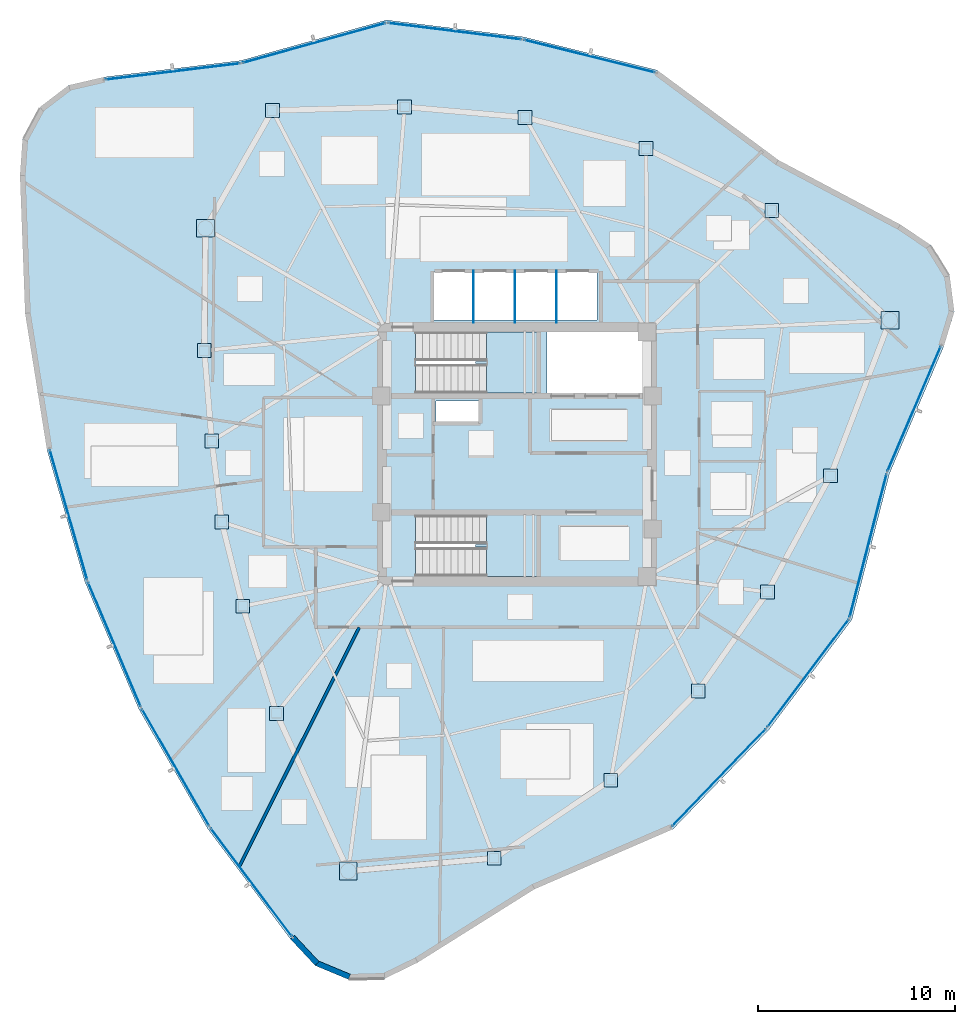
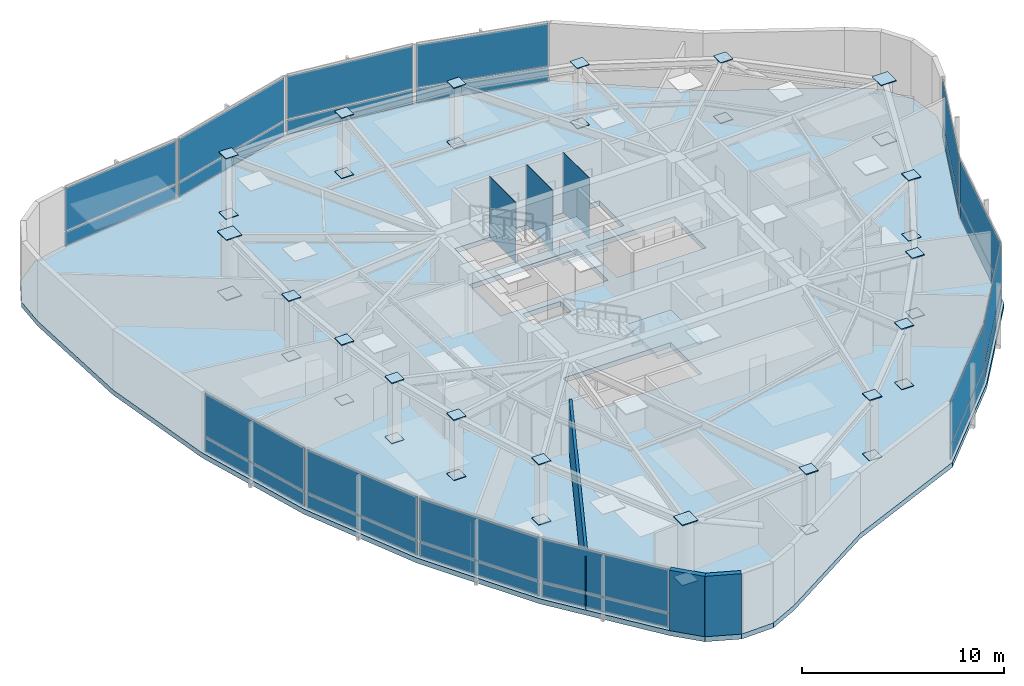
# One storey, part 8 of 14: 63 plates, 3 slabs, 3 walls, 14 elements without a shape of their own.
"""IFC4 building model written with IfcOpenShell, lengths in metres."""

from ifc_helpers import new_model, si_unit, direction, frame, frame_2d, origin, origin_2d, place, context, subcontext, project, spatial, polyline, rectangle, outline, extrude, source, transform, mapped, material, layer, layer_set, type_object, type_shapes, element, aggregate, save


model = new_model("IFC4")

# Units and contexts
model_context = context("Model", 3, precision=1e-05, world=origin(), true_north=direction((0.0, 1.0)))
body_context = subcontext(model_context, "Body", "Model", "MODEL_VIEW")
ifc_project = project(units=[si_unit("LENGTHUNIT", "METRE"), si_unit("AREAUNIT", "SQUARE_METRE"), si_unit("VOLUMEUNIT", "CUBIC_METRE"), si_unit("PLANEANGLEUNIT", "RADIAN"), si_unit("MASSUNIT", "GRAM", prefix="KILO")], contexts=[model_context])

# Site, building, storey
site_placement = place(None, origin())
site = spatial("IfcSite", under=ifc_project, at=site_placement, CompositionType="ELEMENT")
building_placement = place(site_placement, origin())
building = spatial("IfcBuilding", under=site, at=building_placement, Name="Tavelor Broadcast Tower", CompositionType="ELEMENT")
storey_placement = place(building_placement, frame((0.0, 0.0, 249.800048828125)))
storey = spatial("IfcBuildingStorey", under=building, at=storey_placement, Name="L59", CompositionType="ELEMENT", Elevation=249.800048828125)

# Stair, slab
ifc_material_1 = material(Name="Concrete C40/50", Category="concrete")
stair_type = type_object("IfcStairType", Name="Reinforced Concrete Protected Dogleg Stair 1450 mm", PredefinedType="HALF_TURN_STAIR", material=ifc_material_1)
stair_1_placement = place(storey_placement, origin())
stair_1 = element("IfcStair", 1, at=stair_1_placement, inside=storey, type_object=stair_type, Name="L59 Protected Core Exit Stair ST1", PredefinedType="HALF_TURN_STAIR")
ifc_layer_1 = layer(ifc_material_1, 0.199951171875)
ifc_layer_set_1 = layer_set([ifc_layer_1], Name="Concrete C40/50")
slab_type_1 = type_object("IfcSlabType", Name="Reinforced Concrete Stair Half-Landing Slab 200 mm", PredefinedType="LANDING", material=ifc_layer_set_1)
slab_1_placement = place(storey_placement, frame((0.0, 0.0, 1.77490234375)))
slab_1 = element("IfcSlab", 2, at=slab_1_placement, type_object=slab_type_1, Name="ST1 landing 1", PredefinedType="LANDING", context=body_context, shape_type="SweptSolid", body=[
    extrude(outline(polyline([(48.445068359375, 49.590087890625), (48.445068359375, 48.094970703125), (51.0048828125, 48.094970703125), (51.0048828125, 51.205078125), (48.445068359375, 51.205078125), (48.445068359375, 49.7099609375), (47.905029296875, 49.7099609375), (47.905029296875, 49.590087890625), (48.445068359375, 49.590087890625)])), origin(), (0.0, 0.0, 1.0), 0.199951171875),
])
aggregate(stair_1, [slab_1])

stair_2_placement = place(storey_placement, origin())
stair_2 = element("IfcStair", 3, at=stair_2_placement, inside=storey, type_object=stair_type, Name="L59 Protected Core Exit Stair ST2", PredefinedType="HALF_TURN_STAIR")
slab_2_placement = place(storey_placement, frame((0.0, 0.0, 1.77490234375)))
slab_2 = element("IfcSlab", 4, at=slab_2_placement, type_object=slab_type_1, Name="ST2 landing 1", PredefinedType="LANDING", context=body_context, shape_type="SweptSolid", body=[
    extrude(outline(polyline([(48.445068359375, 40.2900390625), (48.445068359375, 38.794921875), (51.0048828125, 38.794921875), (51.0048828125, 41.905029296875), (48.445068359375, 41.905029296875), (48.445068359375, 40.409912109375), (47.905029296875, 40.409912109375), (47.905029296875, 40.2900390625), (48.445068359375, 40.2900390625)])), origin(), (0.0, 0.0, 1.0), 0.199951171875),
])
aggregate(stair_2, [slab_2])

# Slab
ifc_layer_2 = layer(ifc_material_1, 0.300048828125)
ifc_layer_set_2 = layer_set([ifc_layer_2], Name="Concrete C40/50")
slab_type_2 = type_object("IfcSlabType", Name="Tower Composite Floor Slab 300 mm", PredefinedType="FLOOR", material=ifc_layer_set_2)
slab_3_placement = place(storey_placement, frame((0.0, 0.0, -0.300048828125)))
element("IfcSlab", 5, at=slab_3_placement, inside=storey, type_object=slab_type_2, Name="L59 Structural Floor Slab", PredefinedType="FLOOR", context=body_context, shape_type="SweptSolid", body=[
    extrude(outline(polyline([(29.04345703125, 64.1337890625), (27.251708984375, 63.718505859375), (25.789794921875, 62.602783203125), (24.91650390625, 60.984130859375), (24.78662109375, 59.149658203125), (25.0458984375, 52.154296875), (26.14990234375, 45.24169921875), (28.08251953125, 38.513427734375), (30.81494140625, 32.068603515625), (34.30712890625, 26.001708984375), (38.508056640625, 20.40185546875), (39.763427734375, 19.057861328125), (41.460693359375, 18.349609375), (43.299072265625, 18.402587890625), (44.95263671875, 19.20751953125), (50.881103515625, 22.9296875), (57.91259765625, 25.978271484375), (62.773193359375, 31.01611328125), (66.98828125, 36.604736328125), (68.8994140625, 44.026611328125), (71.648681640625, 50.46435546875), (72.184814453125, 52.2236328125), (71.949462890625, 54.047607421875), (70.984619140625, 55.613037109375), (69.460693359375, 56.642822265625), (63.272705078125, 59.916015625), (57.116943359375, 64.48095703125), (50.323974609375, 66.171630859375), (43.376220703125, 67.027587890625), (35.993408203125, 64.971923828125), (29.04345703125, 64.1337890625)]), holes=[polyline([(50.99609375, 41.89599609375), (50.99609375, 38.803955078125), (44.85400390625, 38.803955078125), (44.85400390625, 41.89599609375), (50.99609375, 41.89599609375)]), polyline([(48.050048828125, 47.699951171875), (48.050048828125, 46.64990234375), (45.89990234375, 46.64990234375), (45.89990234375, 47.699951171875), (48.050048828125, 47.699951171875)]), polyline([(50.99609375, 51.196044921875), (50.99609375, 48.10400390625), (44.85400390625, 48.10400390625), (44.85400390625, 51.196044921875), (50.99609375, 51.196044921875)]), polyline([(56.60009765625, 48.10009765625), (51.52001953125, 48.10009765625), (51.52001953125, 51.199951171875), (56.60009765625, 51.199951171875), (56.60009765625, 48.10009765625)]), polyline([(54.050048828125, 51.800048828125), (45.800048828125, 51.800048828125), (45.800048828125, 54.25), (54.050048828125, 54.25), (54.050048828125, 51.800048828125)])]), origin(), (0.0, 0.0, 1.0), 0.300048828125),
])

# Plates
ifc_material_2 = material(Name="Steel S460", Category="steel")
ifc_layer_3 = layer(ifc_material_2, 0.050048828125)
ifc_layer_set_3 = layer_set([ifc_layer_3], Name="Steel S460")
plate_type_1 = type_object("IfcPlateType", Name="Tube Hollow-End Cap Plate KN05 700x700x50", PredefinedType="USERDEFINED", material=ifc_layer_set_3)
shared_shape_1 = source(origin(), body_context, "Body", "SweptSolid", [
    extrude(rectangle(XDim=0.699951171875, YDim=0.699951171875, at=origin_2d()), origin(), (0.0, 0.0, 1.0), 0.054931640625),
])
for number, where, z_axis, x_axis, name in (
    (6, (34.13720703125, 50.255859375, -0.02734375), (0.0, 0.0, 1.0), (1.0, 0.0, 0.0), "L59 Hollow End Cap Plate KN05 #1725"),
    (7, (34.13720703125, 50.255859375, 3.62255859375), (0.0, 0.0, 1.0), (1.0, 0.0, 0.0), "L59 Hollow End Cap Plate KN05 #1726"),
    (8, (34.513671875, 45.66455078125, -0.02734375), (0.0, 0.0, 1.0), (1.0, 0.0, 0.0), "L59 Hollow End Cap Plate KN05 #1727"),
    (9, (34.513671875, 45.66455078125, 3.62255859375), (0.0, 0.0, 1.0), (1.0, 0.0, 0.0), "L59 Hollow End Cap Plate KN05 #1728"),
    (10, (35.018798828125, 41.56396484375, -0.02734375), (0.0, 0.0, 1.0), (1.0, 0.0, 0.0), "L59 Hollow End Cap Plate KN05 #1729"),
    (11, (35.018798828125, 41.56396484375, 3.62255859375), (0.0, 0.0, 1.0), (1.0, 0.0, 0.0), "L59 Hollow End Cap Plate KN05 #1730"),
    (12, (36.08349609375, 37.2822265625, -0.02734375), (0.0, 0.0, 1.0), (1.0, 0.0, 0.0), "L59 Hollow End Cap Plate KN05 #1731"),
    (13, (36.08349609375, 37.2822265625, 3.62255859375), (0.0, 0.0, 1.0), (1.0, 0.0, 0.0), "L59 Hollow End Cap Plate KN05 #1732"),
    (14, (37.797119140625, 31.853271484375, -0.02734375), (0.0, 0.0, 1.0), (1.0, 0.0, 0.0), "L59 Hollow End Cap Plate KN05 #1733"),
    (15, (37.797119140625, 31.853271484375, 3.62255859375), (0.0, 0.0, 1.0), (1.0, 0.0, 0.0), "L59 Hollow End Cap Plate KN05 #1734"),
    (16, (48.843994140625, 24.5048828125, -0.02734375), (0.0, 0.0, 1.0), (1.0, 0.0, 0.0), "L59 Hollow End Cap Plate KN05 #1737"),
    (17, (48.843994140625, 24.5048828125, 3.62255859375), (0.0, 0.0, 1.0), (1.0, 0.0, 0.0), "L59 Hollow End Cap Plate KN05 #1738"),
    (18, (54.754150390625, 28.461669921875, -0.02734375), (0.0, 0.0, 1.0), (1.0, 0.0, 0.0), "L59 Hollow End Cap Plate KN05 #1739"),
    (19, (54.754150390625, 28.461669921875, 3.62255859375), (0.0, 0.0, 1.0), (1.0, 0.0, 0.0), "L59 Hollow End Cap Plate KN05 #1740"),
    (20, (59.1923828125, 32.987060546875, -0.02734375), (0.0, 0.0, 1.0), (1.0, 0.0, 0.0), "L59 Hollow End Cap Plate KN05 #1741"),
    (21, (59.1923828125, 32.987060546875, 3.62255859375), (0.0, 0.0, 1.0), (1.0, 0.0, 0.0), "L59 Hollow End Cap Plate KN05 #1742"),
    (22, (62.7109375, 38.009033203125, -0.02734375), (0.0, 0.0, 1.0), (1.0, 0.0, 0.0), "L59 Hollow End Cap Plate KN05 #1743"),
    (23, (62.7109375, 38.009033203125, 3.62255859375), (0.0, 0.0, 1.0), (1.0, 0.0, 0.0), "L59 Hollow End Cap Plate KN05 #1744"),
    (24, (65.9072265625, 43.909423828125, -0.02734375), (0.0, 0.0, 1.0), (1.0, 0.0, 0.0), "L59 Hollow End Cap Plate KN05 #1745"),
    (25, (65.9072265625, 43.909423828125, 3.62255859375), (0.0, 0.0, 1.0), (1.0, 0.0, 0.0), "L59 Hollow End Cap Plate KN05 #1746"),
    (26, (62.92724609375, 57.364013671875, -0.02734375), (0.0, 0.0, 1.0), (1.0, 0.0, 0.0), "L59 Hollow End Cap Plate KN05 #1749"),
    (27, (62.92724609375, 57.364013671875, 3.62255859375), (0.0, 0.0, 1.0), (1.0, 0.0, 0.0), "L59 Hollow End Cap Plate KN05 #1750"),
    (28, (56.545654296875, 60.504150390625, -0.02734375), (0.0, 0.0, 1.0), (1.0, 0.0, 0.0), "L59 Hollow End Cap Plate KN05 #1751"),
    (29, (56.545654296875, 60.504150390625, 3.62255859375), (0.0, 0.0, 1.0), (1.0, 0.0, 0.0), "L59 Hollow End Cap Plate KN05 #1752"),
    (30, (50.4072265625, 62.0849609375, -0.02734375), (0.0, 0.0, 1.0), (1.0, 0.0, 0.0), "L59 Hollow End Cap Plate KN05 #1753"),
    (31, (50.4072265625, 62.0849609375, 3.62255859375), (0.0, 0.0, 1.0), (1.0, 0.0, 0.0), "L59 Hollow End Cap Plate KN05 #1754"),
    (32, (44.298828125, 62.621337890625, -0.02734375), (0.0, 0.0, 1.0), (1.0, 0.0, 0.0), "L59 Hollow End Cap Plate KN05 #1755"),
    (33, (44.298828125, 62.621337890625, 3.62255859375), (0.0, 0.0, 1.0), (1.0, 0.0, 0.0), "L59 Hollow End Cap Plate KN05 #1756"),
    (34, (37.5908203125, 62.439208984375, -0.02734375), (0.0, 0.0, 1.0), (1.0, 0.0, 0.0), "L59 Hollow End Cap Plate KN05 #1757"),
    (35, (37.5908203125, 62.439208984375, 3.62255859375), (0.0, 0.0, 1.0), (1.0, 0.0, 0.0), "L59 Hollow End Cap Plate KN05 #1758"),
):
    element("IfcPlate", number, at=place(storey_placement, frame(where, z_axis=z_axis, x_axis=x_axis)), inside=storey, type_object=plate_type_1, Name=name, ObjectType="CAP PLATE", PredefinedType="USERDEFINED", context=body_context, shape_type="MappedRepresentation", body=[
        mapped(shared_shape_1, transform((0.0, 0.0, 0.0), scale=1.0)),
    ])
shared_shape_2 = source(origin(), body_context, "Body", "SweptSolid", [
    extrude(rectangle(XDim=0.89306640625, YDim=0.89306640625, at=origin_2d()), origin(), (0.0, 0.0, 1.0), 0.054931640625),
])
type_shapes(plate_type_1, [shared_shape_1, shared_shape_2])
for number, where, z_axis, x_axis, name in (
    (36, (34.1962890625, 56.4599609375, -0.02734375), (0.0, 0.0, 1.0), (1.0, 0.0, 0.0), "L59 Hollow End Cap Plate KN05 #1723"),
    (37, (34.1962890625, 56.4599609375, 3.62255859375), (0.0, 0.0, 1.0), (1.0, 0.0, 0.0), "L59 Hollow End Cap Plate KN05 #1724"),
    (38, (41.440185546875, 23.853759765625, -0.02734375), (0.0, 0.0, 1.0), (1.0, 0.0, 0.0), "L59 Hollow End Cap Plate KN05 #1735"),
    (39, (41.440185546875, 23.853759765625, 3.62255859375), (0.0, 0.0, 1.0), (1.0, 0.0, 0.0), "L59 Hollow End Cap Plate KN05 #1736"),
    (40, (68.919677734375, 51.799072265625, -0.02734375), (0.0, 0.0, 1.0), (1.0, 0.0, 0.0), "L59 Hollow End Cap Plate KN05 #1747"),
    (41, (68.919677734375, 51.799072265625, 3.62255859375), (0.0, 0.0, 1.0), (1.0, 0.0, 0.0), "L59 Hollow End Cap Plate KN05 #1748"),
):
    element("IfcPlate", number, at=place(storey_placement, frame(where, z_axis=z_axis, x_axis=x_axis)), inside=storey, type_object=plate_type_1, Name=name, ObjectType="CAP PLATE", PredefinedType="USERDEFINED", context=body_context, shape_type="MappedRepresentation", body=[
        mapped(shared_shape_2, transform((0.0, 0.0, 0.0), scale=1.0)),
    ])
ifc_material_3 = material(Name="Steel S355", Category="steel")
ifc_layer_4 = layer(ifc_material_3, 0.011962890625)
ifc_layer_set_4 = layer_set([ifc_layer_4], Name="Steel S355")
plate_type_2 = type_object("IfcPlateType", Name="Hoistway Steel Separator Screen 12 mm", PredefinedType="SHEET", material=ifc_layer_set_4)
shared_shape_3 = source(origin(), body_context, "Body", "SweptSolid", [
    extrude(rectangle(XDim=0.02001953125, YDim=2.6201171875, at=origin_2d()), origin(), (0.0, 0.0, 1.0), 3.64990234375),
])
type_shapes(plate_type_2, [shared_shape_3])
for number, where, z_axis, x_axis, name in (
    (42, (47.800048828125, 52.989990234375, 0.0), (0.0, 0.0, 1.0), (1.0, 0.0, 0.0), "L59 High-Rise Hoistway Separator Screen 1"),
    (43, (49.89990234375, 52.989990234375, 0.0), (0.0, 0.0, 1.0), (1.0, 0.0, 0.0), "L59 High-Rise Hoistway Separator Screen 2"),
    (44, (52.0, 52.989990234375, 0.0), (0.0, 0.0, 1.0), (1.0, 0.0, 0.0), "L59 High-Rise Hoistway Separator Screen 3"),
):
    element("IfcPlate", number, at=place(storey_placement, frame(where, z_axis=z_axis, x_axis=x_axis)), inside=storey, type_object=plate_type_2, Name=name, PredefinedType="SHEET", context=body_context, shape_type="MappedRepresentation", body=[
        mapped(shared_shape_3, transform((0.0, 0.0, 0.0), scale=1.0)),
    ])

# Curtain wall, plates
ifc_material_4 = material(Name="Architectural Anodized Aluminium", Category="aluminium")
ifc_layer_5 = layer(ifc_material_4, 0.199951171875)
ifc_layer_set_5 = layer_set([ifc_layer_5], Name="Architectural Anodized Aluminium")
curtain_wall_type = type_object("IfcCurtainWallType", Name="Tower High-Zone Triple-Glazed Curtain Wall CW04", PredefinedType="NOTDEFINED", material=ifc_layer_set_5)
curtain_wall_1_placement = place(storey_placement, origin())
curtain_wall_1 = element("IfcCurtainWall", 45, at=curtain_wall_1_placement, inside=storey, type_object=curtain_wall_type, Name="L59 Curtain Wall CW04 Run 637", PredefinedType="NOTDEFINED")
ifc_material_5 = material(Name="High-Altitude Triple Glazing 36 mm", Category="glass")
ifc_layer_6 = layer(ifc_material_5, 0.035888671875)
ifc_layer_set_6 = layer_set([ifc_layer_6], Name="High-Altitude Triple Glazing 36 mm")
plate_type_3 = type_object("IfcPlateType", Name="CW04 Insulated Vision Glazing Panel 36 mm", PredefinedType="CURTAIN_PANEL", material=ifc_layer_set_6)
shared_shape_4 = source(origin(), body_context, "Body", "SweptSolid", [
    extrude(rectangle(XDim=6.828369140625, YDim=0.035888671875, at=origin_2d()), origin(), (0.0, 0.0, 1.0), 0.844970703125),
])
plate_1_placement = place(storey_placement, frame((27.248779296875, 41.92333984375, 0.06982421875), z_axis=(0.0, 0.0, 1.0), x_axis=(0.276060874381, -0.961140152962, 0.0)))
plate_1 = element("IfcPlate", 46, at=plate_1_placement, type_object=plate_type_3, Name="CW04 panel 1.1", PredefinedType="CURTAIN_PANEL", context=body_context, shape_type="MappedRepresentation", body=[
    mapped(shared_shape_4, transform((0.0, 0.0, 0.0), scale=1.0)),
])
shared_shape_5 = source(origin(), body_context, "Body", "SweptSolid", [
    extrude(rectangle(XDim=6.828369140625, YDim=0.035888671875, at=origin_2d()), origin(), (0.0, 0.0, 1.0), 2.594970703125),
])
plate_2_placement = place(storey_placement, frame((27.248779296875, 41.92333984375, 0.98486328125), z_axis=(0.0, 0.0, 1.0), x_axis=(0.276060874381, -0.961140152962, 0.0)))
plate_2 = element("IfcPlate", 47, at=plate_2_placement, type_object=plate_type_3, Name="CW04 panel 1.2", PredefinedType="CURTAIN_PANEL", context=body_context, shape_type="MappedRepresentation", body=[
    mapped(shared_shape_5, transform((0.0, 0.0, 0.0), scale=1.0)),
])
aggregate(curtain_wall_1, [plate_1, plate_2])

# Curtain wall, plate
curtain_wall_2_placement = place(storey_placement, origin())
curtain_wall_2 = element("IfcCurtainWall", 48, at=curtain_wall_2_placement, inside=storey, type_object=curtain_wall_type, Name="L59 Curtain Wall CW04 Run 638", PredefinedType="NOTDEFINED")
shared_shape_6 = source(origin(), body_context, "Body", "SweptSolid", [
    extrude(rectangle(XDim=6.813232421875, YDim=0.035888671875, at=origin_2d()), origin(), (0.0, 0.0, 1.0), 0.844970703125),
])
plate_3_placement = place(storey_placement, frame((29.57763671875, 35.345703125, 0.06982421875), z_axis=(0.0, 0.0, 1.0), x_axis=(0.390326752514, -0.920676396065, 0.0)))
plate_3 = element("IfcPlate", 49, at=plate_3_placement, type_object=plate_type_3, Name="CW04 panel 1.1", PredefinedType="CURTAIN_PANEL", context=body_context, shape_type="MappedRepresentation", body=[
    mapped(shared_shape_6, transform((0.0, 0.0, 0.0), scale=1.0)),
])

curtain_wall_3_placement = place(storey_placement, origin())
curtain_wall_3 = element("IfcCurtainWall", 50, at=curtain_wall_3_placement, inside=storey, type_object=curtain_wall_type, Name="L59 Curtain Wall CW04 Run 639", PredefinedType="NOTDEFINED")
plate_4_placement = place(storey_placement, frame((32.682373046875, 29.10498046875, 0.06982421875), z_axis=(0.0, 0.0, 1.0), x_axis=(0.498874759471, -0.866674087741, 0.0)))
plate_4 = element("IfcPlate", 51, at=plate_4_placement, type_object=plate_type_3, Name="CW04 panel 1.1", PredefinedType="CURTAIN_PANEL", context=body_context, shape_type="MappedRepresentation", body=[
    mapped(shared_shape_6, transform((0.0, 0.0, 0.0), scale=1.0)),
])

# Plate
shared_shape_7 = source(origin(), body_context, "Body", "SweptSolid", [
    extrude(rectangle(XDim=6.813232421875, YDim=0.035888671875, at=origin_2d()), origin(), (0.0, 0.0, 1.0), 2.594970703125),
])
plate_5_placement = place(storey_placement, frame((29.57763671875, 35.345703125, 0.98486328125), z_axis=(0.0, 0.0, 1.0), x_axis=(0.390326752514, -0.920676396065, 0.0)))
plate_5 = element("IfcPlate", 52, at=plate_5_placement, type_object=plate_type_3, Name="CW04 panel 1.2", PredefinedType="CURTAIN_PANEL", context=body_context, shape_type="MappedRepresentation", body=[
    mapped(shared_shape_7, transform((0.0, 0.0, 0.0), scale=1.0)),
])

aggregate(curtain_wall_2, [plate_3, plate_5])

plate_6_placement = place(storey_placement, frame((32.682373046875, 29.10498046875, 0.98486328125), z_axis=(0.0, 0.0, 1.0), x_axis=(0.498874759471, -0.866674087741, 0.0)))
plate_6 = element("IfcPlate", 53, at=plate_6_placement, type_object=plate_type_3, Name="CW04 panel 1.2", PredefinedType="CURTAIN_PANEL", context=body_context, shape_type="MappedRepresentation", body=[
    mapped(shared_shape_7, transform((0.0, 0.0, 0.0), scale=1.0)),
])

aggregate(curtain_wall_3, [plate_4, plate_6])

# Curtain wall, plates
curtain_wall_4_placement = place(storey_placement, origin())
curtain_wall_4 = element("IfcCurtainWall", 54, at=curtain_wall_4_placement, inside=storey, type_object=curtain_wall_type, Name="L59 Curtain Wall CW04 Run 640", PredefinedType="NOTDEFINED")
shared_shape_8 = source(origin(), body_context, "Body", "SweptSolid", [
    extrude(rectangle(XDim=6.829345703125, YDim=0.035888671875, at=origin_2d()), origin(), (0.0, 0.0, 1.0), 0.844970703125),
])
plate_7_placement = place(storey_placement, frame((36.5244140625, 23.279296875, 0.06982421875), z_axis=(0.0, 0.0, 1.0), x_axis=(0.600094123759, -0.799929398528, 0.0)))
plate_7 = element("IfcPlate", 55, at=plate_7_placement, type_object=plate_type_3, Name="CW04 panel 1.1", PredefinedType="CURTAIN_PANEL", context=body_context, shape_type="MappedRepresentation", body=[
    mapped(shared_shape_8, transform((0.0, 0.0, 0.0), scale=1.0)),
])
shared_shape_9 = source(origin(), body_context, "Body", "SweptSolid", [
    extrude(rectangle(XDim=6.829345703125, YDim=0.035888671875, at=origin_2d()), origin(), (0.0, 0.0, 1.0), 2.594970703125),
])
plate_8_placement = place(storey_placement, frame((36.5244140625, 23.279296875, 0.98486328125), z_axis=(0.0, 0.0, 1.0), x_axis=(0.600094123759, -0.799929398528, 0.0)))
plate_8 = element("IfcPlate", 56, at=plate_8_placement, type_object=plate_type_3, Name="CW04 panel 1.2", PredefinedType="CURTAIN_PANEL", context=body_context, shape_type="MappedRepresentation", body=[
    mapped(shared_shape_9, transform((0.0, 0.0, 0.0), scale=1.0)),
])
aggregate(curtain_wall_4, [plate_7, plate_8])

# Curtain wall, plate
curtain_wall_5_placement = place(storey_placement, origin())
curtain_wall_5 = element("IfcCurtainWall", 57, at=curtain_wall_5_placement, inside=storey, type_object=curtain_wall_type, Name="L59 Curtain Wall CW04 Run 641", PredefinedType="NOTDEFINED")
shared_shape_10 = source(origin(), body_context, "Body", "SweptSolid", [
    extrude(rectangle(XDim=6.808837890625, YDim=0.035888671875, at=origin_2d()), origin(), (0.0, 0.0, 1.0), 0.844970703125),
])
plate_9_placement = place(storey_placement, frame((60.24365234375, 28.595947265625, 0.06982421875), z_axis=(0.0, 0.0, 1.0), x_axis=(0.694336617922, 0.719650374149, 0.0)))
plate_9 = element("IfcPlate", 58, at=plate_9_placement, type_object=plate_type_3, Name="CW04 panel 1.1", PredefinedType="CURTAIN_PANEL", context=body_context, shape_type="MappedRepresentation", body=[
    mapped(shared_shape_10, transform((0.0, 0.0, 0.0), scale=1.0)),
])

curtain_wall_6_placement = place(storey_placement, origin())
curtain_wall_6 = element("IfcCurtainWall", 59, at=curtain_wall_6_placement, inside=storey, type_object=curtain_wall_type, Name="L59 Curtain Wall CW04 Run 645", PredefinedType="NOTDEFINED")
plate_10_placement = place(storey_placement, frame((53.6845703125, 65.19091796875, 0.06982421875), z_axis=(0.0, 0.0, 1.0), x_axis=(-0.970399295109, 0.241506124252, 0.0)))
plate_10 = element("IfcPlate", 60, at=plate_10_placement, type_object=plate_type_3, Name="CW04 panel 1.1", PredefinedType="CURTAIN_PANEL", context=body_context, shape_type="MappedRepresentation", body=[
    mapped(shared_shape_10, transform((0.0, 0.0, 0.0), scale=1.0)),
])

# Plate
shared_shape_11 = source(origin(), body_context, "Body", "SweptSolid", [
    extrude(rectangle(XDim=6.808837890625, YDim=0.035888671875, at=origin_2d()), origin(), (0.0, 0.0, 1.0), 2.594970703125),
])
plate_11_placement = place(storey_placement, frame((60.24365234375, 28.595947265625, 0.98486328125), z_axis=(0.0, 0.0, 1.0), x_axis=(0.694336617922, 0.719650374149, 0.0)))
plate_11 = element("IfcPlate", 61, at=plate_11_placement, type_object=plate_type_3, Name="CW04 panel 1.2", PredefinedType="CURTAIN_PANEL", context=body_context, shape_type="MappedRepresentation", body=[
    mapped(shared_shape_11, transform((0.0, 0.0, 0.0), scale=1.0)),
])

aggregate(curtain_wall_5, [plate_9, plate_11])

plate_12_placement = place(storey_placement, frame((53.6845703125, 65.19091796875, 0.98486328125), z_axis=(0.0, 0.0, 1.0), x_axis=(-0.970399295109, 0.241506124252, 0.0)))
plate_12 = element("IfcPlate", 62, at=plate_12_placement, type_object=plate_type_3, Name="CW04 panel 1.2", PredefinedType="CURTAIN_PANEL", context=body_context, shape_type="MappedRepresentation", body=[
    mapped(shared_shape_11, transform((0.0, 0.0, 0.0), scale=1.0)),
])

aggregate(curtain_wall_6, [plate_10, plate_12])

# Curtain wall, plates
curtain_wall_7_placement = place(storey_placement, origin())
curtain_wall_7 = element("IfcCurtainWall", 63, at=curtain_wall_7_placement, inside=storey, type_object=curtain_wall_type, Name="L59 Curtain Wall CW04 Run 642", PredefinedType="NOTDEFINED")
shared_shape_12 = source(origin(), body_context, "Body", "SweptSolid", [
    extrude(rectangle(XDim=6.793701171875, YDim=0.035888671875, at=origin_2d()), origin(), (0.0, 0.0, 1.0), 0.844970703125),
])
plate_13_placement = place(storey_placement, frame((64.76318359375, 33.886962890625, 0.06982421875), z_axis=(0.0, 0.0, 1.0), x_axis=(0.602160000241, 0.79837543431, 0.0)))
plate_13 = element("IfcPlate", 64, at=plate_13_placement, type_object=plate_type_3, Name="CW04 panel 1.1", PredefinedType="CURTAIN_PANEL", context=body_context, shape_type="MappedRepresentation", body=[
    mapped(shared_shape_12, transform((0.0, 0.0, 0.0), scale=1.0)),
])
shared_shape_13 = source(origin(), body_context, "Body", "SweptSolid", [
    extrude(rectangle(XDim=6.793701171875, YDim=0.035888671875, at=origin_2d()), origin(), (0.0, 0.0, 1.0), 2.594970703125),
])
plate_14_placement = place(storey_placement, frame((64.76318359375, 33.886962890625, 0.98486328125), z_axis=(0.0, 0.0, 1.0), x_axis=(0.602160000241, 0.79837543431, 0.0)))
plate_14 = element("IfcPlate", 65, at=plate_14_placement, type_object=plate_type_3, Name="CW04 panel 1.2", PredefinedType="CURTAIN_PANEL", context=body_context, shape_type="MappedRepresentation", body=[
    mapped(shared_shape_13, transform((0.0, 0.0, 0.0), scale=1.0)),
])
aggregate(curtain_wall_7, [plate_13, plate_14])

# Curtain wall, plate
curtain_wall_8_placement = place(storey_placement, origin())
curtain_wall_8 = element("IfcCurtainWall", 66, at=curtain_wall_8_placement, inside=storey, type_object=curtain_wall_type, Name="L59 Curtain Wall CW04 Run 643", PredefinedType="NOTDEFINED")
shared_shape_14 = source(origin(), body_context, "Body", "SweptSolid", [
    extrude(rectangle(XDim=7.4765625, YDim=0.035888671875, at=origin_2d()), origin(), (0.0, 0.0, 1.0), 0.844970703125),
])
plate_15_placement = place(storey_placement, frame((67.813232421875, 40.369140625, 0.06982421875), z_axis=(0.0, 0.0, 1.0), x_axis=(0.249366143581, 0.968409276306, 0.0)))
plate_15 = element("IfcPlate", 67, at=plate_15_placement, type_object=plate_type_3, Name="CW04 panel 1.1", PredefinedType="CURTAIN_PANEL", context=body_context, shape_type="MappedRepresentation", body=[
    mapped(shared_shape_14, transform((0.0, 0.0, 0.0), scale=1.0)),
])

curtain_wall_9_placement = place(storey_placement, origin())
curtain_wall_9 = element("IfcCurtainWall", 68, at=curtain_wall_9_placement, inside=storey, type_object=curtain_wall_type, Name="L59 Curtain Wall CW04 Run 647", PredefinedType="NOTDEFINED")
plate_16_placement = place(storey_placement, frame((39.703857421875, 65.85986328125, 0.06982421875), z_axis=(0.0, 0.0, 1.0), x_axis=(-0.963349745219, -0.26824851982, 0.0)))
plate_16 = element("IfcPlate", 69, at=plate_16_placement, type_object=plate_type_3, Name="CW04 panel 1.1", PredefinedType="CURTAIN_PANEL", context=body_context, shape_type="MappedRepresentation", body=[
    mapped(shared_shape_14, transform((0.0, 0.0, 0.0), scale=1.0)),
])

# Plate
shared_shape_15 = source(origin(), body_context, "Body", "SweptSolid", [
    extrude(rectangle(XDim=7.4765625, YDim=0.035888671875, at=origin_2d()), origin(), (0.0, 0.0, 1.0), 2.594970703125),
])
plate_17_placement = place(storey_placement, frame((67.813232421875, 40.369140625, 0.98486328125), z_axis=(0.0, 0.0, 1.0), x_axis=(0.249366143581, 0.968409276306, 0.0)))
plate_17 = element("IfcPlate", 70, at=plate_17_placement, type_object=plate_type_3, Name="CW04 panel 1.2", PredefinedType="CURTAIN_PANEL", context=body_context, shape_type="MappedRepresentation", body=[
    mapped(shared_shape_15, transform((0.0, 0.0, 0.0), scale=1.0)),
])

aggregate(curtain_wall_8, [plate_15, plate_17])

plate_18_placement = place(storey_placement, frame((39.703857421875, 65.85986328125, 0.98486328125), z_axis=(0.0, 0.0, 1.0), x_axis=(-0.963349745219, -0.26824851982, 0.0)))
plate_18 = element("IfcPlate", 71, at=plate_18_placement, type_object=plate_type_3, Name="CW04 panel 1.2", PredefinedType="CURTAIN_PANEL", context=body_context, shape_type="MappedRepresentation", body=[
    mapped(shared_shape_15, transform((0.0, 0.0, 0.0), scale=1.0)),
])

aggregate(curtain_wall_9, [plate_16, plate_18])

# Curtain wall, plate
curtain_wall_10_placement = place(storey_placement, origin())
curtain_wall_10 = element("IfcCurtainWall", 72, at=curtain_wall_10_placement, inside=storey, type_object=curtain_wall_type, Name="L59 Curtain Wall CW04 Run 644", PredefinedType="NOTDEFINED")
shared_shape_16 = source(origin(), body_context, "Body", "SweptSolid", [
    extrude(rectangle(XDim=6.848388671875, YDim=0.035888671875, at=origin_2d()), origin(), (0.0, 0.0, 1.0), 0.844970703125),
])
plate_19_placement = place(storey_placement, frame((70.144775390625, 47.298828125, 0.06982421875), z_axis=(0.0, 0.0, 1.0), x_axis=(0.392723876712, 0.919656434034, 0.0)))
plate_19 = element("IfcPlate", 73, at=plate_19_placement, type_object=plate_type_3, Name="CW04 panel 1.1", PredefinedType="CURTAIN_PANEL", context=body_context, shape_type="MappedRepresentation", body=[
    mapped(shared_shape_16, transform((0.0, 0.0, 0.0), scale=1.0)),
])

curtain_wall_11_placement = place(storey_placement, origin())
curtain_wall_11 = element("IfcCurtainWall", 74, at=curtain_wall_11_placement, inside=storey, type_object=curtain_wall_type, Name="L59 Curtain Wall CW04 Run 648", PredefinedType="NOTDEFINED")
plate_20_placement = place(storey_placement, frame((32.53662109375, 64.4140625, 0.06982421875), z_axis=(0.0, 0.0, 1.0), x_axis=(-0.99280658534, -0.119729211583, 0.0)))
plate_20 = element("IfcPlate", 75, at=plate_20_placement, type_object=plate_type_3, Name="CW04 panel 1.1", PredefinedType="CURTAIN_PANEL", context=body_context, shape_type="MappedRepresentation", body=[
    mapped(shared_shape_16, transform((0.0, 0.0, 0.0), scale=1.0)),
])

# Plate
shared_shape_17 = source(origin(), body_context, "Body", "SweptSolid", [
    extrude(rectangle(XDim=6.848388671875, YDim=0.035888671875, at=origin_2d()), origin(), (0.0, 0.0, 1.0), 2.594970703125),
])
plate_21_placement = place(storey_placement, frame((70.144775390625, 47.298828125, 0.98486328125), z_axis=(0.0, 0.0, 1.0), x_axis=(0.392723876712, 0.919656434034, 0.0)))
plate_21 = element("IfcPlate", 76, at=plate_21_placement, type_object=plate_type_3, Name="CW04 panel 1.2", PredefinedType="CURTAIN_PANEL", context=body_context, shape_type="MappedRepresentation", body=[
    mapped(shared_shape_17, transform((0.0, 0.0, 0.0), scale=1.0)),
])

aggregate(curtain_wall_10, [plate_19, plate_21])

plate_22_placement = place(storey_placement, frame((32.53662109375, 64.4140625, 0.98486328125), z_axis=(0.0, 0.0, 1.0), x_axis=(-0.99280658534, -0.119729211583, 0.0)))
plate_22 = element("IfcPlate", 77, at=plate_22_placement, type_object=plate_type_3, Name="CW04 panel 1.2", PredefinedType="CURTAIN_PANEL", context=body_context, shape_type="MappedRepresentation", body=[
    mapped(shared_shape_17, transform((0.0, 0.0, 0.0), scale=1.0)),
])

aggregate(curtain_wall_11, [plate_20, plate_22])

# Curtain wall, plates
curtain_wall_12_placement = place(storey_placement, origin())
curtain_wall_12 = element("IfcCurtainWall", 78, at=curtain_wall_12_placement, inside=storey, type_object=curtain_wall_type, Name="L59 Curtain Wall CW04 Run 646", PredefinedType="NOTDEFINED")
shared_shape_18 = source(origin(), body_context, "Body", "SweptSolid", [
    extrude(rectangle(XDim=6.7939453125, YDim=0.035888671875, at=origin_2d()), origin(), (0.0, 0.0, 1.0), 0.844970703125),
])
plate_23_placement = place(storey_placement, frame((46.842529296875, 66.45947265625, 0.06982421875), z_axis=(0.0, 0.0, 1.0), x_axis=(-0.992493353863, 0.122298579455, 0.0)))
plate_23 = element("IfcPlate", 79, at=plate_23_placement, type_object=plate_type_3, Name="CW04 panel 1.1", PredefinedType="CURTAIN_PANEL", context=body_context, shape_type="MappedRepresentation", body=[
    mapped(shared_shape_18, transform((0.0, 0.0, 0.0), scale=1.0)),
])
shared_shape_19 = source(origin(), body_context, "Body", "SweptSolid", [
    extrude(rectangle(XDim=6.7939453125, YDim=0.035888671875, at=origin_2d()), origin(), (0.0, 0.0, 1.0), 2.594970703125),
])
type_shapes(plate_type_3, [shared_shape_4, shared_shape_5, shared_shape_6, shared_shape_7, shared_shape_8, shared_shape_9, shared_shape_10, shared_shape_11, shared_shape_12, shared_shape_13, shared_shape_14, shared_shape_15, shared_shape_16, shared_shape_17, shared_shape_18, shared_shape_19])
plate_24_placement = place(storey_placement, frame((46.842529296875, 66.45947265625, 0.98486328125), z_axis=(0.0, 0.0, 1.0), x_axis=(-0.992493353863, 0.122298579455, 0.0)))
plate_24 = element("IfcPlate", 80, at=plate_24_placement, type_object=plate_type_3, Name="CW04 panel 1.2", PredefinedType="CURTAIN_PANEL", context=body_context, shape_type="MappedRepresentation", body=[
    mapped(shared_shape_19, transform((0.0, 0.0, 0.0), scale=1.0)),
])
aggregate(curtain_wall_12, [plate_23, plate_24])

# Walls
ifc_material_6 = material(Name="Precast Concrete C40/50", Category="concrete")
ifc_layer_7 = layer(ifc_material_6, 0.280029296875)
ifc_layer_set_7 = layer_set([ifc_layer_7], Name="Precast Concrete C40/50")
wall_type_1 = type_object("IfcWallType", Name="Insulated Precast Terracotta Facade Wall 280 mm", PredefinedType="STANDARD", material=ifc_layer_set_7)
wall_1_placement = place(storey_placement, frame((38.61279296875, 20.494873046875, 0.0), z_axis=(0.0, 0.0, 1.0), x_axis=(0.682624001525, -0.730769780808, 0.0)))
element("IfcWall", 81, at=wall_1_placement, inside=storey, type_object=wall_type_1, Name="L59 Rounded Corner Structural Cladding Pier 11", PredefinedType="STANDARD", context=body_context, shape_type="SweptSolid", body=[
    extrude(rectangle(XDim=1.820556640625, YDim=0.280029296875, at=frame_2d((0.91015625, 0.0))), origin(), (0.0, 0.0, 1.0), 3.64990234375),
])
wall_2_placement = place(storey_placement, frame((39.831298828125, 19.181396484375, 0.0), z_axis=(0.0, 0.0, 1.0), x_axis=(0.92282514469, -0.385219096526, 0.0)))
element("IfcWall", 82, at=wall_2_placement, inside=storey, type_object=wall_type_1, Name="L59 Rounded Corner Structural Cladding Pier 12", PredefinedType="STANDARD", context=body_context, shape_type="SweptSolid", body=[
    extrude(rectangle(XDim=1.808837890625, YDim=0.280029296875, at=frame_2d((0.904296875, 0.0))), origin(), (0.0, 0.0, 1.0), 3.64990234375),
])
ifc_material_7 = material(Name="Gypsum Acoustic Plasterboard 150 mm", Category="gypsum")
ifc_layer_8 = layer(ifc_material_7, 0.14990234375)
ifc_layer_set_8 = layer_set([ifc_layer_8], Name="Gypsum Acoustic Plasterboard 150 mm")
wall_type_2 = type_object("IfcWallType", Name="Interior Acoustic Partition Wall 150 mm", PredefinedType="PARTITIONING", material=ifc_layer_set_8)
wall_3_placement = place(storey_placement, frame((41.998291015625, 36.219970703125, 0.0), z_axis=(0.0, 0.0, 1.0), x_axis=(-0.448162520619, -0.893952098891, 0.0)))
element("IfcWall", 83, at=wall_3_placement, inside=storey, type_object=wall_type_2, Name="L59 Radial Compartment Wall 05", PredefinedType="PARTITIONING", context=body_context, shape_type="SweptSolid", body=[
    extrude(rectangle(XDim=13.580810546875, YDim=0.14990234375, at=frame_2d((6.79052734375, 0.0))), origin(), (0.0, 0.0, 1.0), 3.175048828125),
])

save(model, "model.ifc")
